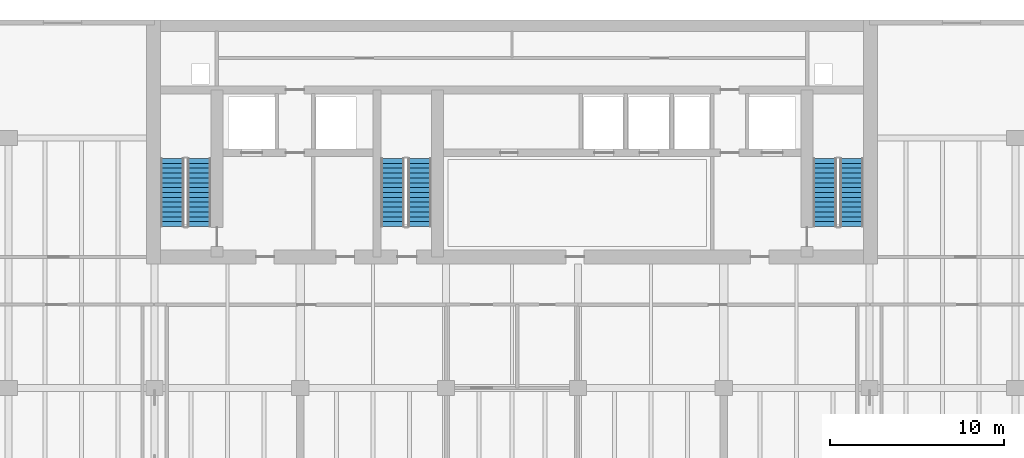
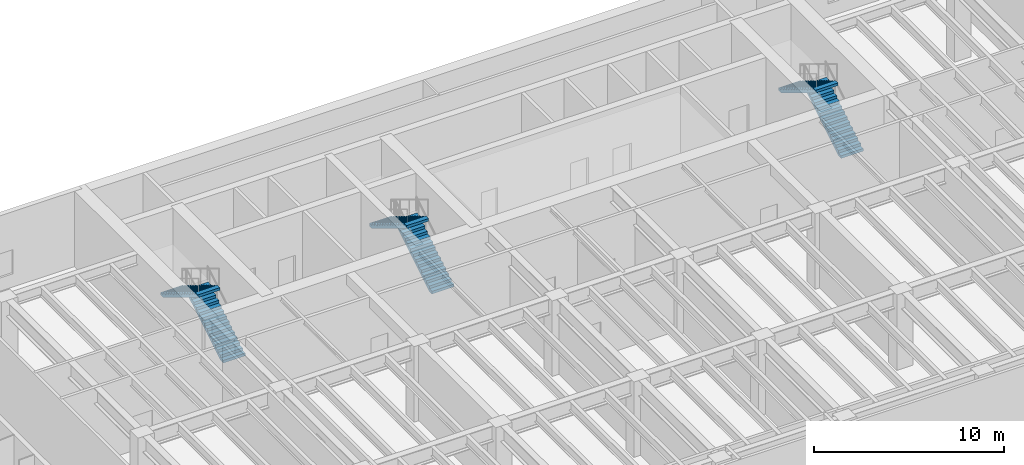
# One storey, part 15 of 18: 6 stair flights, 3 elements without a shape of their own.
"""IFC4 building model written with IfcOpenShell, lengths in metres."""

from ifc_helpers import new_model, si_unit, direction, frame, origin, place, context, subcontext, project, spatial, polyline, outline, extrude, material, type_object, element, aggregate, save


model = new_model("IFC4")

# Units and contexts
model_context = context("Model", 3, precision=1e-05, world=origin(), true_north=direction((0.0, 1.0)))
body_context = subcontext(model_context, "Body", "Model", "MODEL_VIEW")
ifc_project = project(units=[si_unit("LENGTHUNIT", "METRE"), si_unit("AREAUNIT", "SQUARE_METRE"), si_unit("VOLUMEUNIT", "CUBIC_METRE"), si_unit("PLANEANGLEUNIT", "RADIAN"), si_unit("MASSUNIT", "GRAM", prefix="KILO")], contexts=[model_context])

# Site, building, storey
site_placement = place(None, origin())
site = spatial("IfcSite", under=ifc_project, at=site_placement, CompositionType="ELEMENT")
building_placement = place(site_placement, origin())
building = spatial("IfcBuilding", under=site, at=building_placement, Name="Caelmar Bay Residences", CompositionType="ELEMENT")
storey_placement = place(building_placement, frame((0.0, 0.0, 152.10009765625)))
storey = spatial("IfcBuildingStorey", under=building, at=storey_placement, Name="L42", CompositionType="ELEMENT", Elevation=152.10009765625)

# Stair, stair flights
ifc_material_1 = material(Name="Concrete f'c 40 MPa (6,000 psi)", Category="concrete")
stair_type = type_object("IfcStairType", Name="ST-TAL-170", PredefinedType="HALF_TURN_STAIR", material=ifc_material_1)
stair_1_placement = place(storey_placement, origin())
stair_1 = element("IfcStair", 1, at=stair_1_placement, inside=storey, type_object=stair_type, Name="L42 West Smokeproof Exit Stair ST1", PredefinedType="HALF_TURN_STAIR")
ifc_material_2 = material(Name="Precast concrete f'c 40 MPa (6,000 psi)", Category="concrete")
stair_flight_type = type_object("IfcStairFlightType", Name="STF-1400", PredefinedType="STRAIGHT", material=ifc_material_2)
stair_flight_1_placement = place(storey_placement, frame((20.875, 38.699951171875, 0.0), z_axis=(0.0, 0.0, 1.0), x_axis=(0.0, 1.0, 0.0)))
stair_flight_1 = element("IfcStairFlight", 2, at=stair_flight_1_placement, type_object=stair_flight_type, Name="ST1 flight 1", NumberOfRisers=15, NumberOfTreads=14, PredefinedType="STRAIGHT", RiserHeight=0.17, TreadLength=0.28, context=body_context, shape_type="SweptSolid", body=[
    extrude(outline(polyline([(0.0, 0.0), (0.0, 0.169921875), (0.280029296875, 0.169921875), (0.280029296875, 0.340087890625), (0.56005859375, 0.340087890625), (0.56005859375, 0.510009765625), (0.840087890625, 0.510009765625), (0.840087890625, 0.679931640625), (1.1201171875, 0.679931640625), (1.1201171875, 0.85009765625), (1.39990234375, 0.85009765625), (1.39990234375, 1.02001953125), (1.679931640625, 1.02001953125), (1.679931640625, 1.18994140625), (1.9599609375, 1.18994140625), (1.9599609375, 1.360107421875), (2.239990234375, 1.360107421875), (2.239990234375, 1.530029296875), (2.52001953125, 1.530029296875), (2.52001953125, 1.699951171875), (2.800048828125, 1.699951171875), (2.800048828125, 1.8701171875), (3.080078125, 1.8701171875), (3.080078125, 2.0400390625), (3.360107421875, 2.0400390625), (3.360107421875, 2.2099609375), (3.639892578125, 2.2099609375), (3.639892578125, 2.3798828125), (3.919921875, 2.3798828125), (3.919921875, 2.550048828125), (3.919921875, 2.20458984375), (0.288818359375, 0.0), (0.0, 0.0)])), frame((0.0, 0.675048828125, 0.0), z_axis=(0.0, -1.0, 0.0), x_axis=(1.0, 0.0, 0.0)), (0.0, 0.0, 1.0), 1.35009765625),
])
stair_flight_2_placement = place(storey_placement, frame((19.324951171875, 42.6201171875, 2.5498046875), z_axis=(0.0, 0.0, 1.0), x_axis=(0.0, -1.0, 0.0)))
stair_flight_2 = element("IfcStairFlight", 3, at=stair_flight_2_placement, type_object=stair_flight_type, Name="ST1 flight 2", NumberOfRisers=15, NumberOfTreads=14, PredefinedType="STRAIGHT", RiserHeight=0.17, TreadLength=0.28, context=body_context, shape_type="SweptSolid", body=[
    extrude(outline(polyline([(0.0, 0.0), (0.0, 0.169921875), (0.280029296875, 0.169921875), (0.280029296875, 0.340087890625), (0.56005859375, 0.340087890625), (0.56005859375, 0.510009765625), (0.840087890625, 0.510009765625), (0.840087890625, 0.679931640625), (1.1201171875, 0.679931640625), (1.1201171875, 0.85009765625), (1.39990234375, 0.85009765625), (1.39990234375, 1.02001953125), (1.679931640625, 1.02001953125), (1.679931640625, 1.18994140625), (1.9599609375, 1.18994140625), (1.9599609375, 1.360107421875), (2.239990234375, 1.360107421875), (2.239990234375, 1.530029296875), (2.52001953125, 1.530029296875), (2.52001953125, 1.699951171875), (2.800048828125, 1.699951171875), (2.800048828125, 1.8701171875), (3.080078125, 1.8701171875), (3.080078125, 2.0400390625), (3.360107421875, 2.0400390625), (3.360107421875, 2.2099609375), (3.639892578125, 2.2099609375), (3.639892578125, 2.3798828125), (3.919921875, 2.3798828125), (3.919921875, 2.550048828125), (3.919921875, 2.20458984375), (0.288818359375, 0.0), (0.0, 0.0)])), frame((0.0, 0.675048828125, 0.0), z_axis=(0.0, -1.0, 0.0), x_axis=(1.0, 0.0, 0.0)), (0.0, 0.0, 1.0), 1.35009765625),
])
aggregate(stair_1, [stair_flight_1, stair_flight_2])

stair_2_placement = place(storey_placement, origin())
stair_2 = element("IfcStair", 4, at=stair_2_placement, inside=storey, type_object=stair_type, Name="L42 East Smokeproof Exit Stair ST2", PredefinedType="HALF_TURN_STAIR")
stair_flight_3_placement = place(storey_placement, frame((58.47509765625, 38.699951171875, 0.0), z_axis=(0.0, 0.0, 1.0), x_axis=(0.0, 1.0, 0.0)))
stair_flight_3 = element("IfcStairFlight", 5, at=stair_flight_3_placement, type_object=stair_flight_type, Name="ST2 flight 1", NumberOfRisers=15, NumberOfTreads=14, PredefinedType="STRAIGHT", RiserHeight=0.17, TreadLength=0.28, context=body_context, shape_type="SweptSolid", body=[
    extrude(outline(polyline([(0.0, 0.0), (0.0, 0.169921875), (0.280029296875, 0.169921875), (0.280029296875, 0.340087890625), (0.56005859375, 0.340087890625), (0.56005859375, 0.510009765625), (0.840087890625, 0.510009765625), (0.840087890625, 0.679931640625), (1.1201171875, 0.679931640625), (1.1201171875, 0.85009765625), (1.39990234375, 0.85009765625), (1.39990234375, 1.02001953125), (1.679931640625, 1.02001953125), (1.679931640625, 1.18994140625), (1.9599609375, 1.18994140625), (1.9599609375, 1.360107421875), (2.239990234375, 1.360107421875), (2.239990234375, 1.530029296875), (2.52001953125, 1.530029296875), (2.52001953125, 1.699951171875), (2.800048828125, 1.699951171875), (2.800048828125, 1.8701171875), (3.080078125, 1.8701171875), (3.080078125, 2.0400390625), (3.360107421875, 2.0400390625), (3.360107421875, 2.2099609375), (3.639892578125, 2.2099609375), (3.639892578125, 2.3798828125), (3.919921875, 2.3798828125), (3.919921875, 2.550048828125), (3.919921875, 2.20458984375), (0.288818359375, 0.0), (0.0, 0.0)])), frame((0.0, 0.675048828125, 0.0), z_axis=(0.0, -1.0, 0.0), x_axis=(1.0, 0.0, 0.0)), (0.0, 0.0, 1.0), 1.35009765625),
])
stair_flight_4_placement = place(storey_placement, frame((56.925048828125, 42.6201171875, 2.5498046875), z_axis=(0.0, 0.0, 1.0), x_axis=(0.0, -1.0, 0.0)))
stair_flight_4 = element("IfcStairFlight", 6, at=stair_flight_4_placement, type_object=stair_flight_type, Name="ST2 flight 2", NumberOfRisers=15, NumberOfTreads=14, PredefinedType="STRAIGHT", RiserHeight=0.17, TreadLength=0.28, context=body_context, shape_type="SweptSolid", body=[
    extrude(outline(polyline([(0.0, 0.0), (0.0, 0.169921875), (0.280029296875, 0.169921875), (0.280029296875, 0.340087890625), (0.56005859375, 0.340087890625), (0.56005859375, 0.510009765625), (0.840087890625, 0.510009765625), (0.840087890625, 0.679931640625), (1.1201171875, 0.679931640625), (1.1201171875, 0.85009765625), (1.39990234375, 0.85009765625), (1.39990234375, 1.02001953125), (1.679931640625, 1.02001953125), (1.679931640625, 1.18994140625), (1.9599609375, 1.18994140625), (1.9599609375, 1.360107421875), (2.239990234375, 1.360107421875), (2.239990234375, 1.530029296875), (2.52001953125, 1.530029296875), (2.52001953125, 1.699951171875), (2.800048828125, 1.699951171875), (2.800048828125, 1.8701171875), (3.080078125, 1.8701171875), (3.080078125, 2.0400390625), (3.360107421875, 2.0400390625), (3.360107421875, 2.2099609375), (3.639892578125, 2.2099609375), (3.639892578125, 2.3798828125), (3.919921875, 2.3798828125), (3.919921875, 2.550048828125), (3.919921875, 2.20458984375), (0.288818359375, 0.0), (0.0, 0.0)])), frame((0.0, 0.675048828125, 0.0), z_axis=(0.0, -1.0, 0.0), x_axis=(1.0, 0.0, 0.0)), (0.0, 0.0, 1.0), 1.35009765625),
])
aggregate(stair_2, [stair_flight_3, stair_flight_4])

stair_3_placement = place(storey_placement, origin())
stair_3 = element("IfcStair", 7, at=stair_3_placement, inside=storey, type_object=stair_type, Name="L42 Central Smokeproof Exit Stair ST3", PredefinedType="HALF_TURN_STAIR")
stair_flight_5_placement = place(storey_placement, frame((33.574951171875, 38.699951171875, 0.0), z_axis=(0.0, 0.0, 1.0), x_axis=(0.0, 1.0, 0.0)))
stair_flight_5 = element("IfcStairFlight", 8, at=stair_flight_5_placement, type_object=stair_flight_type, Name="ST3 flight 1", NumberOfRisers=15, NumberOfTreads=14, PredefinedType="STRAIGHT", RiserHeight=0.17, TreadLength=0.28, context=body_context, shape_type="SweptSolid", body=[
    extrude(outline(polyline([(0.0, 0.0), (0.0, 0.169921875), (0.280029296875, 0.169921875), (0.280029296875, 0.340087890625), (0.56005859375, 0.340087890625), (0.56005859375, 0.510009765625), (0.840087890625, 0.510009765625), (0.840087890625, 0.679931640625), (1.1201171875, 0.679931640625), (1.1201171875, 0.85009765625), (1.39990234375, 0.85009765625), (1.39990234375, 1.02001953125), (1.679931640625, 1.02001953125), (1.679931640625, 1.18994140625), (1.9599609375, 1.18994140625), (1.9599609375, 1.360107421875), (2.239990234375, 1.360107421875), (2.239990234375, 1.530029296875), (2.52001953125, 1.530029296875), (2.52001953125, 1.699951171875), (2.800048828125, 1.699951171875), (2.800048828125, 1.8701171875), (3.080078125, 1.8701171875), (3.080078125, 2.0400390625), (3.360107421875, 2.0400390625), (3.360107421875, 2.2099609375), (3.639892578125, 2.2099609375), (3.639892578125, 2.3798828125), (3.919921875, 2.3798828125), (3.919921875, 2.550048828125), (3.919921875, 2.20458984375), (0.288818359375, 0.0), (0.0, 0.0)])), frame((0.0, 0.675048828125, 0.0), z_axis=(0.0, -1.0, 0.0), x_axis=(1.0, 0.0, 0.0)), (0.0, 0.0, 1.0), 1.35009765625),
])
stair_flight_6_placement = place(storey_placement, frame((32.02490234375, 42.6201171875, 2.5498046875), z_axis=(0.0, 0.0, 1.0), x_axis=(0.0, -1.0, 0.0)))
stair_flight_6 = element("IfcStairFlight", 9, at=stair_flight_6_placement, type_object=stair_flight_type, Name="ST3 flight 2", NumberOfRisers=15, NumberOfTreads=14, PredefinedType="STRAIGHT", RiserHeight=0.17, TreadLength=0.28, context=body_context, shape_type="SweptSolid", body=[
    extrude(outline(polyline([(0.0, 0.0), (0.0, 0.169921875), (0.280029296875, 0.169921875), (0.280029296875, 0.340087890625), (0.56005859375, 0.340087890625), (0.56005859375, 0.510009765625), (0.840087890625, 0.510009765625), (0.840087890625, 0.679931640625), (1.1201171875, 0.679931640625), (1.1201171875, 0.85009765625), (1.39990234375, 0.85009765625), (1.39990234375, 1.02001953125), (1.679931640625, 1.02001953125), (1.679931640625, 1.18994140625), (1.9599609375, 1.18994140625), (1.9599609375, 1.360107421875), (2.239990234375, 1.360107421875), (2.239990234375, 1.530029296875), (2.52001953125, 1.530029296875), (2.52001953125, 1.699951171875), (2.800048828125, 1.699951171875), (2.800048828125, 1.8701171875), (3.080078125, 1.8701171875), (3.080078125, 2.0400390625), (3.360107421875, 2.0400390625), (3.360107421875, 2.2099609375), (3.639892578125, 2.2099609375), (3.639892578125, 2.3798828125), (3.919921875, 2.3798828125), (3.919921875, 2.550048828125), (3.919921875, 2.20458984375), (0.288818359375, 0.0), (0.0, 0.0)])), frame((0.0, 0.675048828125, 0.0), z_axis=(0.0, -1.0, 0.0), x_axis=(1.0, 0.0, 0.0)), (0.0, 0.0, 1.0), 1.35009765625),
])
aggregate(stair_3, [stair_flight_5, stair_flight_6])

save(model, "model.ifc")
